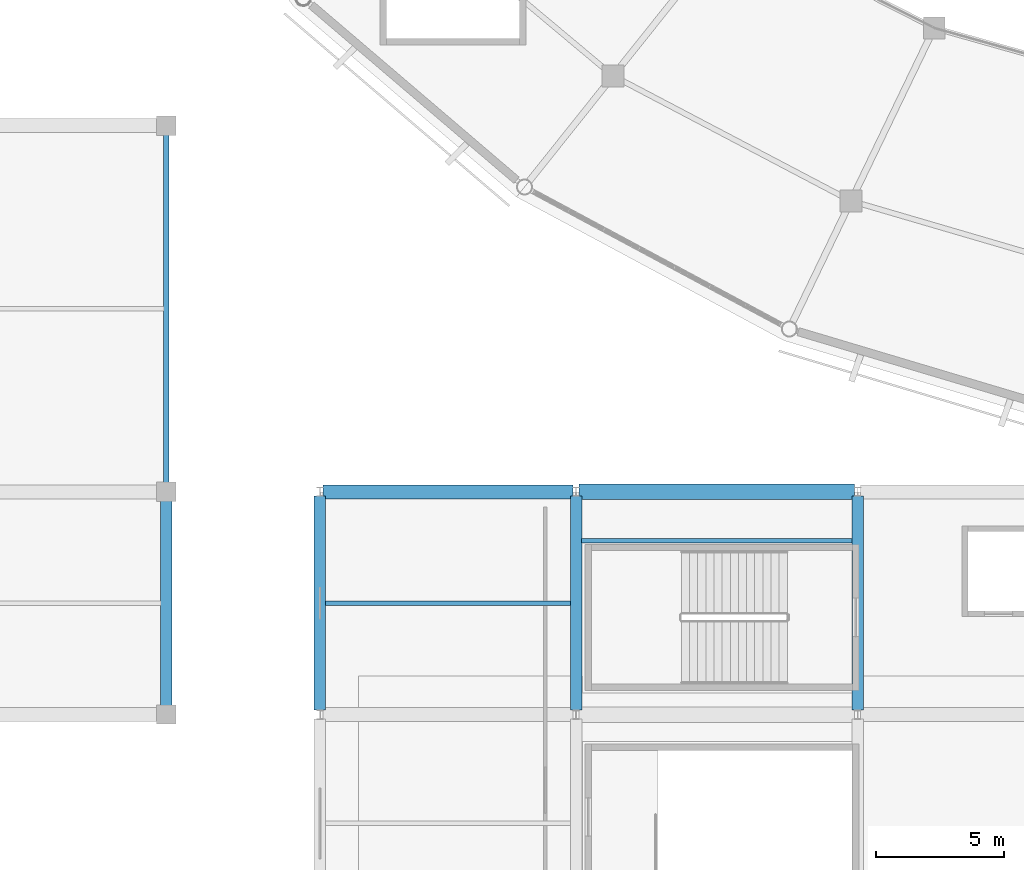
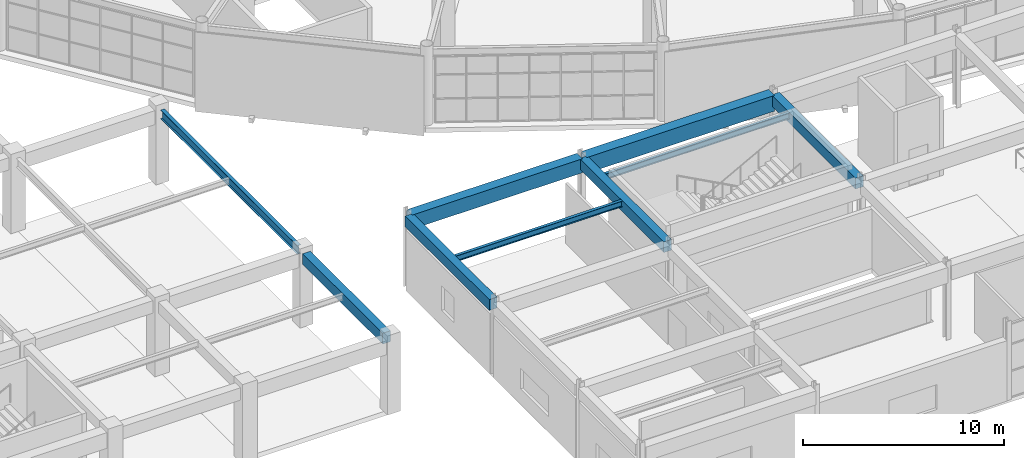
# One storey, part 17 of 112: 9 beams.
"""IFC4 building model written with IfcOpenShell, lengths in metres."""

from ifc_helpers import new_model, si_unit, direction, frame, origin, origin_2d, place, context, subcontext, project, spatial, rectangle, i_section, extrude, material, material_profile, profile_set, type_object, element, save


model = new_model("IFC4")

# Units and contexts
model_context = context("Model", 3, precision=1e-05, world=origin(), true_north=direction((0.0, 1.0)))
body_context = subcontext(model_context, "Body", "Model", "MODEL_VIEW")
ifc_project = project(units=[si_unit("LENGTHUNIT", "METRE"), si_unit("AREAUNIT", "SQUARE_METRE"), si_unit("VOLUMEUNIT", "CUBIC_METRE"), si_unit("PLANEANGLEUNIT", "RADIAN"), si_unit("MASSUNIT", "GRAM", prefix="KILO")], contexts=[model_context])

# Site, building, storey
site_placement = place(None, origin())
site = spatial("IfcSite", under=ifc_project, at=site_placement, CompositionType="ELEMENT")
building_placement = place(site_placement, origin())
building = spatial("IfcBuilding", under=site, at=building_placement, Name="Cuetzalor Civic Arena", CompositionType="ELEMENT")
storey_placement = place(building_placement, frame((0.0, 0.0, 11.39990234375)))
storey = spatial("IfcBuildingStorey", under=building, at=storey_placement, Name="L02", CompositionType="ELEMENT", Elevation=11.39990234375)

# Beams
ifc_material_1 = material(Name="Concrete C40/50", Category="concrete")
ifc_material_profile_1 = material_profile(ifc_material_1, rectangle(XDim=0.550048828125, YDim=0.85009765625, at=origin_2d()), Name="RC 550x850")
ifc_profile_set_1 = profile_set([ifc_material_profile_1], Name="Concrete C40/50")
beam_type_1 = type_object("IfcBeamType", Name="ConcreteFrameBeam_550x850", PredefinedType="BEAM", material=ifc_profile_set_1)
beam_1_placement = place(storey_placement, frame((-41.881591796875, -48.300048828125, 4.09521484375), z_axis=(1.0, 0.0, 0.0), x_axis=(0.0, 1.0, 0.0)))
element("IfcBeam", 1, at=beam_1_placement, inside=storey, type_object=beam_type_1, Name="Frame Girder V3-L02-X0593", PredefinedType="BEAM", context=body_context, shape_type="SweptSolid", body=[
    extrude(rectangle(XDim=0.550048828125, YDim=0.85009765625, at=origin_2d()), origin(), (0.0, 0.0, 1.0), 9.76318359375),
])
ifc_material_2 = material(Name="Concrete C40/50", Category="concrete")
ifc_material_profile_2 = material_profile(ifc_material_2, rectangle(XDim=0.60009765625, YDim=0.949951171875, at=origin_2d()), Name="RC 600x950")
ifc_profile_set_2 = profile_set([ifc_material_profile_2], Name="Concrete C40/50")
beam_type_2 = type_object("IfcBeamType", Name="ConcreteFrameBeam_600x950", PredefinedType="BEAM", material=ifc_profile_set_2)
beam_2_placement = place(storey_placement, frame((-31.881591796875, -48.300048828125, 4.045166015625), z_axis=(1.0, 0.0, 0.0), x_axis=(0.0, 1.0, 0.0)))
element("IfcBeam", 2, at=beam_2_placement, inside=storey, type_object=beam_type_2, Name="Frame Girder V3-L02-X0594", PredefinedType="BEAM", context=body_context, shape_type="SweptSolid", body=[
    extrude(rectangle(XDim=0.60009765625, YDim=0.949951171875, at=origin_2d()), origin(), (0.0, 0.0, 1.0), 10.76318359375),
])
ifc_material_3 = material(Name="Concrete C40/50", Category="concrete")
ifc_material_profile_3 = material_profile(ifc_material_3, rectangle(XDim=0.449951171875, YDim=0.64990234375, at=origin_2d()), Name="RC 450x650")
ifc_profile_set_3 = profile_set([ifc_material_profile_3], Name="Concrete C40/50")
beam_type_3 = type_object("IfcBeamType", Name="ConcreteTieBeam_450x650", PredefinedType="BEAM", material=ifc_profile_set_3)
for number, where, z_axis, x_axis, name in (
    (3, (-42.0, -56.82861328125, 4.195068359375), (0.0, 1.0, 0.0), (-1.0, 0.0, 0.0), "Frame Girder V3-L02-Y0603"),
    (4, (-32.0, -56.82861328125, 4.195068359375), (0.0, 1.0, 0.0), (-1.0, 0.0, 0.0), "Frame Girder V3-L02-Y0606"),
    (5, (-21.0, -56.82861328125, 4.195068359375), (0.0, 1.0, 0.0), (-1.0, 0.0, 0.0), "Frame Girder V3-L02-Y0608"),
):
    element("IfcBeam", number, at=place(storey_placement, frame(where, z_axis=z_axis, x_axis=x_axis)), inside=storey, type_object=beam_type_3, Name=name, PredefinedType="BEAM", context=body_context, shape_type="SweptSolid", body=[
        extrude(rectangle(XDim=0.449951171875, YDim=0.64990234375, at=origin_2d()), origin(), (0.0, 0.0, 1.0), 8.357177734375),
    ])
beam_3_placement = place(storey_placement, frame((-48.0, -56.635009765625, 4.135009765625), z_axis=(0.0, 1.0, 0.0), x_axis=(-1.0, 0.0, 0.0)))
element("IfcBeam", 6, at=beam_3_placement, inside=storey, type_object=beam_type_3, Name="Frame Girder V4W-L02-Y0698", PredefinedType="BEAM", context=body_context, shape_type="SweptSolid", body=[
    extrude(rectangle(XDim=0.449951171875, YDim=0.64990234375, at=origin_2d()), origin(), (0.0, 0.0, 1.0), 7.969970703125),
])
ifc_material_4 = material(Name="Steel S355", Category="steel")
ifc_material_profile_4 = material_profile(ifc_material_4, i_section(OverallWidth=0.1708984375, OverallDepth=0.35498046875, WebThickness=0.007080078125, FlangeThickness=0.01171875, at=origin_2d()), Name="W360x51")
ifc_profile_set_4 = profile_set([ifc_material_profile_4], Name="Steel S355")
beam_type_4 = type_object("IfcBeamType", Name="SecondaryFloorJoist_W360", PredefinedType="JOIST", material=ifc_profile_set_4)
beam_4_placement = place(storey_placement, frame((-41.782958984375, -52.64990234375, 4.342529296875), z_axis=(1.0, 0.0, 0.0), x_axis=(0.0, 1.0, 0.0)))
element("IfcBeam", 7, at=beam_4_placement, inside=storey, type_object=beam_type_4, Name="Secondary Floor Joist V3-L02-0183", PredefinedType="JOIST", context=body_context, shape_type="SweptSolid", body=[
    extrude(i_section(OverallWidth=0.1708984375, OverallDepth=0.35498046875, WebThickness=0.007080078125, FlangeThickness=0.01171875, at=origin_2d()), origin(), (0.0, 0.0, 1.0), 9.56591796875),
])
beam_5_placement = place(storey_placement, frame((-31.782958984375, -50.214111328125, 4.342529296875), z_axis=(1.0, 0.0, 0.0), x_axis=(0.0, 1.0, 0.0)))
element("IfcBeam", 8, at=beam_5_placement, inside=storey, type_object=beam_type_4, Name="Secondary Floor Joist V3-L02-0184", PredefinedType="JOIST", context=body_context, shape_type="SweptSolid", body=[
    extrude(i_section(OverallWidth=0.1708984375, OverallDepth=0.35498046875, WebThickness=0.007080078125, FlangeThickness=0.01171875, at=origin_2d()), origin(), (0.0, 0.0, 1.0), 10.56591796875),
])
ifc_material_5 = material(Name="Steel S355", Category="steel")
ifc_material_profile_5 = material_profile(ifc_material_5, i_section(OverallWidth=0.208984375, OverallDepth=0.532958984375, WebThickness=0.01025390625, FlangeThickness=0.015625, at=origin_2d()), Name="W530x92")
ifc_profile_set_5 = profile_set([ifc_material_profile_5], Name="Steel S355")
beam_type_5 = type_object("IfcBeamType", Name="SteelCollarGirder_W530", PredefinedType="BEAM", material=ifc_profile_set_5)
beam_6_placement = place(storey_placement, frame((-48.0, -47.93505859375, 4.193603515625), z_axis=(0.0, 1.0, 0.0), x_axis=(-1.0, 0.0, 0.0)))
element("IfcBeam", 9, at=beam_6_placement, inside=storey, type_object=beam_type_5, Name="Frame Girder V4W-L02-Y0699", PredefinedType="BEAM", context=body_context, shape_type="SweptSolid", body=[
    extrude(i_section(OverallWidth=0.208984375, OverallDepth=0.532958984375, WebThickness=0.01025390625, FlangeThickness=0.015625, at=origin_2d()), origin(), (0.0, 0.0, 1.0), 13.570068359375),
])

save(model, "model.ifc")
